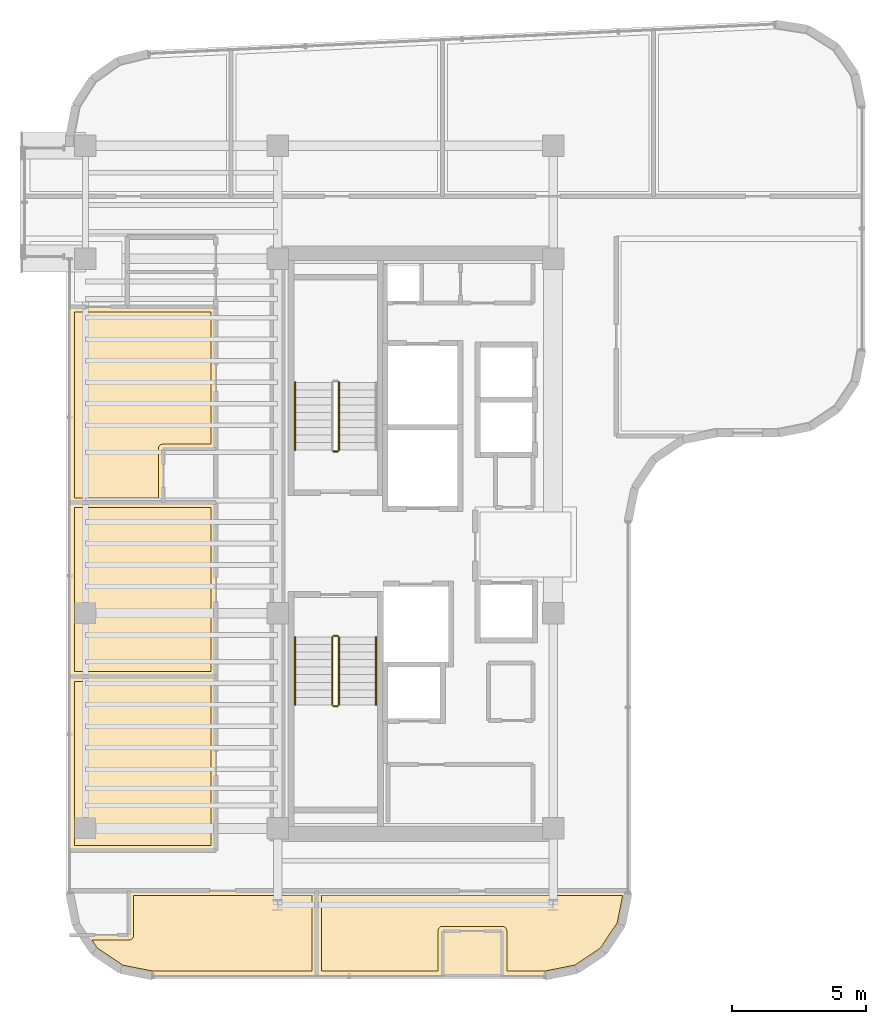
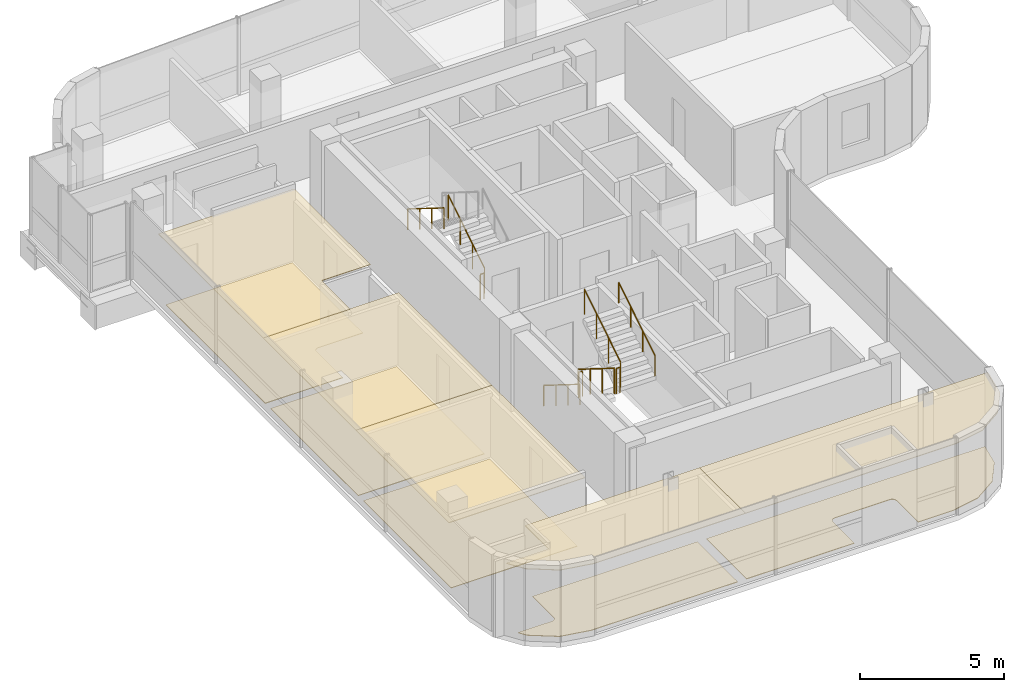
# One storey, part 19 of 21: 10 coverings, 9 railings.
"""IFC4 building model written with IfcOpenShell, lengths in metres."""

from ifc_helpers import new_model, si_unit, direction, frame, origin, origin_2d, place, context, subcontext, project, spatial, polyline, circle, outline, extrude, material, layer, layer_set, type_object, element, save


model = new_model("IFC4")

# Units and contexts
model_context = context("Model", 3, precision=1e-05, world=origin(), true_north=direction((0.0, 1.0)))
body_context = subcontext(model_context, "Body", "Model", "MODEL_VIEW")
ifc_project = project(units=[si_unit("LENGTHUNIT", "METRE"), si_unit("AREAUNIT", "SQUARE_METRE"), si_unit("VOLUMEUNIT", "CUBIC_METRE"), si_unit("PLANEANGLEUNIT", "RADIAN"), si_unit("MASSUNIT", "GRAM", prefix="KILO")], contexts=[model_context])

# Site, building, storey
site_placement = place(None, origin())
site = spatial("IfcSite", under=ifc_project, at=site_placement, CompositionType="ELEMENT")
building_placement = place(site_placement, origin())
building = spatial("IfcBuilding", under=site, at=building_placement, Name="Valdorenza Pilgrim Sanctuary Tower", CompositionType="ELEMENT")
storey_placement = place(building_placement, frame((0.0, 0.0, 254.5)))
storey = spatial("IfcBuildingStorey", under=building, at=storey_placement, Name="L66", CompositionType="ELEMENT", Elevation=254.5)

# Coverings
ifc_material_1 = material(Name="Micro-perforated acoustic mineral ceiling tile", Category="gypsum")
ifc_layer_1 = layer(ifc_material_1, 0.02490234375, Name="Micro-perforated acoustic mineral ceiling tile")
ifc_layer_set_1 = layer_set([ifc_layer_1], Name="Micro-perforated acoustic mineral ceiling tile")
covering_type_1 = type_object("IfcCoveringType", Name="COV-CLG-ACU", PredefinedType="CEILING", material=ifc_layer_set_1)
covering_1_placement = place(storey_placement, frame((0.0, 0.0, 2.9599609375)))
element("IfcCovering", 1, at=covering_1_placement, inside=storey, type_object=covering_type_1, Name="L66 Pilgrim Scholar Office L66-H1 Acoustic Ceiling", PredefinedType="CEILING", context=body_context, shape_type="SweptSolid", body=[
    extrude(outline(polyline([(-24.93505859375, -11.419921875), (-24.93505859375, -11.42138671875), (-24.935302734375, -11.4228515625), (-24.935546875, -11.42431640625), (-24.93603515625, -11.42578125), (-24.936767578125, -11.427001953125), (-24.9375, -11.42822265625), (-24.9384765625, -11.429443359375), (-24.939453125, -11.4306640625), (-24.9404296875, -11.431640625), (-24.941650390625, -11.4326171875), (-24.94287109375, -11.43310546875), (-24.9443359375, -11.433837890625), (-24.945556640625, -11.434326171875), (-24.947021484375, -11.434814453125), (-24.948486328125, -11.434814453125), (-24.949951171875, -11.43505859375), (-30.389892578125, -11.43505859375), (-30.3916015625, -11.434814453125), (-30.392822265625, -11.434814453125), (-30.394287109375, -11.434326171875), (-30.395751953125, -11.433837890625), (-30.397216796875, -11.43310546875), (-30.398193359375, -11.4326171875), (-30.3994140625, -11.431640625), (-30.400634765625, -11.4306640625), (-30.401611328125, -11.429443359375), (-30.402587890625, -11.42822265625), (-30.4033203125, -11.427001953125), (-30.40380859375, -11.42578125), (-30.404296875, -11.42431640625), (-30.40478515625, -11.4228515625), (-30.40478515625, -11.42138671875), (-30.405029296875, -11.419921875), (-30.405029296875, -4.949462890625), (-30.40478515625, -4.947998046875), (-30.40478515625, -4.946533203125), (-30.404296875, -4.945068359375), (-30.40380859375, -4.94384765625), (-30.4033203125, -4.9423828125), (-30.402587890625, -4.941162109375), (-30.401611328125, -4.93994140625), (-30.400634765625, -4.93896484375), (-30.3994140625, -4.93798828125), (-30.398193359375, -4.93701171875), (-30.397216796875, -4.936279296875), (-30.395751953125, -4.935546875), (-30.394287109375, -4.93505859375), (-30.392822265625, -4.934814453125), (-30.3916015625, -4.9345703125), (-30.389892578125, -4.9345703125), (-24.949951171875, -4.9345703125), (-24.948486328125, -4.9345703125), (-24.947021484375, -4.934814453125), (-24.945556640625, -4.93505859375), (-24.9443359375, -4.935546875), (-24.94287109375, -4.936279296875), (-24.941650390625, -4.93701171875), (-24.9404296875, -4.93798828125), (-24.939453125, -4.93896484375), (-24.9384765625, -4.93994140625), (-24.9375, -4.941162109375), (-24.936767578125, -4.9423828125), (-24.93603515625, -4.94384765625), (-24.935546875, -4.945068359375), (-24.935302734375, -4.946533203125), (-24.93505859375, -4.947998046875), (-24.93505859375, -4.949462890625), (-24.93505859375, -11.419921875)])), origin(), (0.0, 0.0, 1.0), 0.025146484375),
])
covering_2_placement = place(storey_placement, frame((0.0, 0.0, 2.9599609375)))
element("IfcCovering", 2, at=covering_2_placement, inside=storey, type_object=covering_type_1, Name="L66 Pilgrim Scholar Office L66-H2 Acoustic Ceiling", PredefinedType="CEILING", context=body_context, shape_type="SweptSolid", body=[
    extrude(outline(polyline([(-24.93505859375, -4.947509765625), (-24.93505859375, -4.948974609375), (-24.935302734375, -4.950439453125), (-24.935546875, -4.951904296875), (-24.93603515625, -4.953125), (-24.936767578125, -4.95458984375), (-24.9375, -4.955810546875), (-24.9384765625, -4.95703125), (-24.939453125, -4.9580078125), (-24.9404296875, -4.958984375), (-24.941650390625, -4.9599609375), (-24.94287109375, -4.960693359375), (-24.9443359375, -4.96142578125), (-24.945556640625, -4.9619140625), (-24.947021484375, -4.962158203125), (-24.948486328125, -4.96240234375), (-24.949951171875, -4.96240234375), (-30.389892578125, -4.96240234375), (-30.3916015625, -4.96240234375), (-30.392822265625, -4.962158203125), (-30.394287109375, -4.9619140625), (-30.395751953125, -4.96142578125), (-30.397216796875, -4.960693359375), (-30.398193359375, -4.9599609375), (-30.3994140625, -4.958984375), (-30.400634765625, -4.9580078125), (-30.401611328125, -4.95703125), (-30.402587890625, -4.955810546875), (-30.4033203125, -4.95458984375), (-30.40380859375, -4.953125), (-30.404296875, -4.951904296875), (-30.40478515625, -4.950439453125), (-30.40478515625, -4.948974609375), (-30.405029296875, -4.947509765625), (-30.405029296875, 1.52099609375), (-30.40478515625, 1.5224609375), (-30.40478515625, 1.52392578125), (-30.404296875, 1.525390625), (-30.40380859375, 1.526611328125), (-30.4033203125, 1.528076171875), (-30.402587890625, 1.529296875), (-30.401611328125, 1.530517578125), (-30.400634765625, 1.531494140625), (-30.3994140625, 1.53271484375), (-30.398193359375, 1.533447265625), (-30.397216796875, 1.5341796875), (-30.395751953125, 1.534912109375), (-30.394287109375, 1.535400390625), (-30.392822265625, 1.53564453125), (-30.3916015625, 1.535888671875), (-30.389892578125, 1.535888671875), (-24.949951171875, 1.535888671875), (-24.948486328125, 1.535888671875), (-24.947021484375, 1.53564453125), (-24.945556640625, 1.535400390625), (-24.9443359375, 1.534912109375), (-24.94287109375, 1.5341796875), (-24.941650390625, 1.533447265625), (-24.9404296875, 1.53271484375), (-24.939453125, 1.531494140625), (-24.9384765625, 1.530517578125), (-24.9375, 1.529296875), (-24.936767578125, 1.528076171875), (-24.93603515625, 1.526611328125), (-24.935546875, 1.525390625), (-24.935302734375, 1.52392578125), (-24.93505859375, 1.5224609375), (-24.93505859375, 1.52099609375), (-24.93505859375, -4.947509765625)])), origin(), (0.0, 0.0, 1.0), 0.025146484375),
])
covering_3_placement = place(storey_placement, frame((0.0, 0.0, 2.9599609375)))
element("IfcCovering", 3, at=covering_3_placement, inside=storey, type_object=covering_type_1, Name="L66 Sanctuary Guest Room L66-HW1 Acoustic Ceiling", PredefinedType="CEILING", context=body_context, shape_type="SweptSolid", body=[
    extrude(outline(polyline([(-28.253662109375, 8.81298828125), (-28.253173828125, 8.81298828125), (-28.25146484375, 8.813232421875), (-28.25, 8.813232421875), (-28.24853515625, 8.81298828125), (-28.248291015625, 8.81298828125), (-24.949951171875, 8.81298828125), (-24.948486328125, 8.81298828125), (-24.947021484375, 8.812744140625), (-24.945556640625, 8.8125), (-24.9443359375, 8.81201171875), (-24.94287109375, 8.811279296875), (-24.941650390625, 8.810546875), (-24.9404296875, 8.8095703125), (-24.939453125, 8.80859375), (-24.9384765625, 8.8076171875), (-24.9375, 8.806396484375), (-24.936767578125, 8.80517578125), (-24.93603515625, 8.8037109375), (-24.935546875, 8.802490234375), (-24.935302734375, 8.80078125), (-24.93505859375, 8.799560546875), (-24.93505859375, 8.798095703125), (-24.93505859375, 3.52294921875), (-24.93505859375, 3.521484375), (-24.935302734375, 3.52001953125), (-24.935546875, 3.5185546875), (-24.93603515625, 3.517333984375), (-24.936767578125, 3.515869140625), (-24.9375, 3.5146484375), (-24.9384765625, 3.513427734375), (-24.939453125, 3.512451171875), (-24.9404296875, 3.511474609375), (-24.941650390625, 3.510498046875), (-24.94287109375, 3.509765625), (-24.9443359375, 3.509033203125), (-24.945556640625, 3.508544921875), (-24.947021484375, 3.50830078125), (-24.948486328125, 3.508056640625), (-24.949951171875, 3.508056640625), (-26.89501953125, 3.508056640625), (-26.89501953125, 1.52294921875), (-26.89501953125, 1.521484375), (-26.895263671875, 1.52001953125), (-26.8955078125, 1.5185546875), (-26.89599609375, 1.517333984375), (-26.896728515625, 1.515869140625), (-26.8974609375, 1.5146484375), (-26.8984375, 1.513427734375), (-26.8994140625, 1.512451171875), (-26.900390625, 1.511474609375), (-26.901611328125, 1.510498046875), (-26.90283203125, 1.509765625), (-26.904296875, 1.509033203125), (-26.905517578125, 1.508544921875), (-26.906982421875, 1.50830078125), (-26.908447265625, 1.508056640625), (-26.909912109375, 1.508056640625), (-30.389892578125, 1.508056640625), (-30.3916015625, 1.508056640625), (-30.392822265625, 1.50830078125), (-30.394287109375, 1.508544921875), (-30.395751953125, 1.509033203125), (-30.397216796875, 1.509765625), (-30.398193359375, 1.510498046875), (-30.3994140625, 1.511474609375), (-30.400634765625, 1.512451171875), (-30.401611328125, 1.513427734375), (-30.402587890625, 1.5146484375), (-30.4033203125, 1.515869140625), (-30.40380859375, 1.517333984375), (-30.404296875, 1.5185546875), (-30.40478515625, 1.52001953125), (-30.40478515625, 1.521484375), (-30.405029296875, 1.52294921875), (-30.405029296875, 8.798095703125), (-30.40478515625, 8.799560546875), (-30.40478515625, 8.80078125), (-30.404296875, 8.802490234375), (-30.40380859375, 8.8037109375), (-30.4033203125, 8.80517578125), (-30.402587890625, 8.806396484375), (-30.401611328125, 8.8076171875), (-30.400634765625, 8.80859375), (-30.3994140625, 8.8095703125), (-30.398193359375, 8.810546875), (-30.397216796875, 8.811279296875), (-30.395751953125, 8.81201171875), (-30.394287109375, 8.8125), (-30.392822265625, 8.812744140625), (-30.3916015625, 8.81298828125), (-30.389892578125, 8.81298828125), (-28.253662109375, 8.81298828125)])), origin(), (0.0, 0.0, 1.0), 0.025146484375),
])
covering_4_placement = place(storey_placement, frame((0.0, 0.0, 2.9599609375)))
element("IfcCovering", 4, at=covering_4_placement, inside=storey, type_object=covering_type_1, Name="L66 South Guest Room L66-S1 Acoustic Ceiling", PredefinedType="CEILING", context=body_context, shape_type="SweptSolid", body=[
    extrude(outline(polyline([(-28.202880859375, -14.556884765625), (-28.202880859375, -12.919921875), (-28.202880859375, -12.91845703125), (-28.20263671875, -12.9169921875), (-28.202392578125, -12.91552734375), (-28.201904296875, -12.914306640625), (-28.201171875, -12.912841796875), (-28.200439453125, -12.91162109375), (-28.19970703125, -12.910400390625), (-28.198486328125, -12.909423828125), (-28.197509765625, -12.908447265625), (-28.1962890625, -12.907470703125), (-28.195068359375, -12.90673828125), (-28.193603515625, -12.906005859375), (-28.1923828125, -12.905517578125), (-28.19091796875, -12.9052734375), (-28.189453125, -12.905029296875), (-28.18798828125, -12.905029296875), (-21.199951171875, -12.905029296875), (-21.198486328125, -12.905029296875), (-21.197021484375, -12.9052734375), (-21.195556640625, -12.905517578125), (-21.1943359375, -12.906005859375), (-21.19287109375, -12.90673828125), (-21.191650390625, -12.907470703125), (-21.1904296875, -12.908447265625), (-21.189453125, -12.909423828125), (-21.1884765625, -12.910400390625), (-21.1875, -12.91162109375), (-21.186767578125, -12.912841796875), (-21.18603515625, -12.914306640625), (-21.185546875, -12.91552734375), (-21.185302734375, -12.9169921875), (-21.18505859375, -12.91845703125), (-21.18505859375, -12.919921875), (-21.18505859375, -16.090087890625), (-21.18505859375, -16.091552734375), (-21.185302734375, -16.093017578125), (-21.185546875, -16.094482421875), (-21.18603515625, -16.095703125), (-21.186767578125, -16.09716796875), (-21.1875, -16.098388671875), (-21.1884765625, -16.099609375), (-21.189453125, -16.1005859375), (-21.1904296875, -16.1015625), (-21.191650390625, -16.1025390625), (-21.19287109375, -16.103271484375), (-21.1943359375, -16.10400390625), (-21.195556640625, -16.1044921875), (-21.197021484375, -16.104736328125), (-21.198486328125, -16.10498046875), (-21.199951171875, -16.10498046875), (-27.289306640625, -16.10498046875), (-27.29052734375, -16.10498046875), (-27.2919921875, -16.104736328125), (-28.484619140625, -15.867431640625), (-28.486083984375, -15.8671875), (-28.4873046875, -15.86669921875), (-28.48876953125, -15.865966796875), (-28.489990234375, -15.865234375), (-29.49169921875, -15.19580078125), (-29.492919921875, -15.195068359375), (-29.493896484375, -15.194091796875), (-29.4951171875, -15.19287109375), (-29.495849609375, -15.191650390625), (-29.904296875, -14.580322265625), (-29.9052734375, -14.5791015625), (-29.90576171875, -14.57763671875), (-29.90625, -14.576416015625), (-29.90673828125, -14.574951171875), (-29.906982421875, -14.573486328125), (-29.906982421875, -14.572021484375), (-29.906982421875, -14.570556640625), (-29.90673828125, -14.569091796875), (-29.90625, -14.567626953125), (-29.90576171875, -14.56640625), (-29.9052734375, -14.56494140625), (-29.904296875, -14.563720703125), (-29.903564453125, -14.5625), (-29.902587890625, -14.561279296875), (-29.901611328125, -14.560302734375), (-29.900390625, -14.5595703125), (-29.89892578125, -14.558837890625), (-29.897705078125, -14.55810546875), (-29.896240234375, -14.5576171875), (-29.89501953125, -14.557373046875), (-29.893310546875, -14.55712890625), (-29.89208984375, -14.556884765625), (-28.202880859375, -14.556884765625)])), origin(), (0.0, 0.0, 1.0), 0.025146484375),
])
covering_5_placement = place(storey_placement, frame((0.0, 0.0, 2.9599609375)))
element("IfcCovering", 5, at=covering_5_placement, inside=storey, type_object=covering_type_1, Name="L66 South Guest Room L66-S2 Acoustic Ceiling", PredefinedType="CEILING", context=body_context, shape_type="SweptSolid", body=[
    extrude(outline(polyline([(-9.610107421875, -12.905029296875), (-9.6083984375, -12.905029296875), (-9.607177734375, -12.9052734375), (-9.605712890625, -12.905517578125), (-9.604248046875, -12.906005859375), (-9.602783203125, -12.90673828125), (-9.601806640625, -12.907470703125), (-9.6005859375, -12.908447265625), (-9.599365234375, -12.909423828125), (-9.598388671875, -12.910400390625), (-9.597412109375, -12.91162109375), (-9.5966796875, -12.912841796875), (-9.59619140625, -12.914306640625), (-9.595703125, -12.91552734375), (-9.59521484375, -12.9169921875), (-9.59521484375, -12.91845703125), (-9.594970703125, -12.919921875), (-9.594970703125, -12.9892578125), (-9.59521484375, -12.990478515625), (-9.59521484375, -12.9921875), (-9.83251953125, -14.1845703125), (-9.8330078125, -14.18603515625), (-9.83349609375, -14.1875), (-9.833984375, -14.188720703125), (-9.834716796875, -14.18994140625), (-10.504150390625, -15.191650390625), (-10.5048828125, -15.19287109375), (-10.506103515625, -15.194091796875), (-10.507080078125, -15.195068359375), (-10.50830078125, -15.19580078125), (-11.510009765625, -15.865234375), (-11.51123046875, -15.865966796875), (-11.5126953125, -15.86669921875), (-11.513916015625, -15.8671875), (-11.515380859375, -15.867431640625), (-12.7080078125, -16.104736328125), (-12.70947265625, -16.10498046875), (-12.710693359375, -16.10498046875), (-21.197998046875, -16.10498046875), (-21.199462890625, -16.10498046875), (-21.200927734375, -16.104736328125), (-21.202392578125, -16.1044921875), (-21.20361328125, -16.10400390625), (-21.205078125, -16.103271484375), (-21.206298828125, -16.1025390625), (-21.20751953125, -16.1015625), (-21.20849609375, -16.1005859375), (-21.209716796875, -16.099609375), (-21.21044921875, -16.098388671875), (-21.211181640625, -16.09716796875), (-21.2119140625, -16.095703125), (-21.21240234375, -16.094482421875), (-21.212646484375, -16.093017578125), (-21.212890625, -16.091552734375), (-21.212890625, -16.090087890625), (-21.212890625, -12.919921875), (-21.212890625, -12.91845703125), (-21.212646484375, -12.9169921875), (-21.21240234375, -12.91552734375), (-21.2119140625, -12.914306640625), (-21.211181640625, -12.912841796875), (-21.21044921875, -12.91162109375), (-21.209716796875, -12.910400390625), (-21.20849609375, -12.909423828125), (-21.20751953125, -12.908447265625), (-21.206298828125, -12.907470703125), (-21.205078125, -12.90673828125), (-21.20361328125, -12.906005859375), (-21.202392578125, -12.905517578125), (-21.200927734375, -12.9052734375), (-21.199462890625, -12.905029296875), (-21.197998046875, -12.905029296875), (-9.610107421875, -12.905029296875)])), origin(), (0.0, 0.0, 1.0), 0.025146484375),
])
ifc_material_2 = material(Name="Engineered European oak timber flooring", Category="wood")
ifc_layer_2 = layer(ifc_material_2, 0.02197265625, Name="Engineered European oak timber flooring")
ifc_layer_set_2 = layer_set([ifc_layer_2], Name="Engineered European oak timber flooring")
covering_type_2 = type_object("IfcCoveringType", Name="COV-FLR-OAK", PredefinedType="FLOORING", material=ifc_layer_set_2)
covering_6_placement = place(storey_placement, origin())
element("IfcCovering", 6, at=covering_6_placement, inside=storey, type_object=covering_type_2, Name="L66 Sanctuary Guest Room L66-HW1 Flooring", PredefinedType="FLOORING", context=body_context, shape_type="SweptSolid", body=[
    extrude(outline(polyline([(-28.250244140625, 8.617919921875), (-28.25, 8.617919921875), (-25.1298828125, 8.617919921875), (-25.1298828125, 3.702880859375), (-26.907958984375, 3.702880859375), (-26.916748046875, 3.702880859375), (-26.9169921875, 3.702880859375), (-26.9345703125, 3.700927734375), (-26.934814453125, 3.700927734375), (-26.9521484375, 3.697509765625), (-26.952392578125, 3.697509765625), (-26.96923828125, 3.6923828125), (-26.969482421875, 3.6923828125), (-26.985595703125, 3.685546875), (-26.98583984375, 3.685546875), (-27.00146484375, 3.67724609375), (-27.001708984375, 3.677001953125), (-27.016357421875, 3.667236328125), (-27.0166015625, 3.6669921875), (-27.030029296875, 3.656005859375), (-27.0302734375, 3.65576171875), (-27.042724609375, 3.643310546875), (-27.04296875, 3.64306640625), (-27.05419921875, 3.62939453125), (-27.05419921875, 3.62939453125), (-27.064208984375, 3.614501953125), (-27.064208984375, 3.614501953125), (-27.072509765625, 3.598876953125), (-27.072509765625, 3.5986328125), (-27.079345703125, 3.58251953125), (-27.079345703125, 3.582275390625), (-27.08447265625, 3.565185546875), (-27.084716796875, 3.565185546875), (-27.087890625, 3.5478515625), (-27.087890625, 3.547607421875), (-27.08984375, 3.530029296875), (-27.08984375, 3.52978515625), (-27.090087890625, 3.52099609375), (-27.090087890625, 1.702880859375), (-30.2099609375, 1.702880859375), (-30.2099609375, 8.617919921875), (-28.251953125, 8.617919921875), (-28.2509765625, 8.617919921875), (-28.250244140625, 8.617919921875)])), origin(), (0.0, 0.0, 1.0), 0.02490234375),
])
covering_7_placement = place(storey_placement, origin())
element("IfcCovering", 7, at=covering_7_placement, inside=storey, type_object=covering_type_2, Name="L66 South Guest Room L66-S1 Flooring", PredefinedType="FLOORING", context=body_context, shape_type="SweptSolid", body=[
    extrude(outline(polyline([(-27.271484375, -15.909912109375), (-28.411376953125, -15.68310546875), (-29.353515625, -15.0537109375), (-29.55517578125, -14.751953125), (-28.18994140625, -14.751953125), (-28.18115234375, -14.751708984375), (-28.180908203125, -14.751708984375), (-28.163330078125, -14.75), (-28.1630859375, -14.75), (-28.14599609375, -14.74658203125), (-28.145751953125, -14.74658203125), (-28.12890625, -14.741455078125), (-28.128662109375, -14.7412109375), (-28.1123046875, -14.734619140625), (-28.112060546875, -14.734619140625), (-28.096435546875, -14.726318359375), (-28.096435546875, -14.72607421875), (-28.081787109375, -14.71630859375), (-28.08154296875, -14.716064453125), (-28.06787109375, -14.704833984375), (-28.067626953125, -14.704833984375), (-28.05517578125, -14.6923828125), (-28.05517578125, -14.692138671875), (-28.0439453125, -14.678466796875), (-28.043701171875, -14.67822265625), (-28.033935546875, -14.66357421875), (-28.03369140625, -14.66357421875), (-28.025390625, -14.64794921875), (-28.025390625, -14.647705078125), (-28.018798828125, -14.63134765625), (-28.0185546875, -14.631103515625), (-28.013427734375, -14.6142578125), (-28.013427734375, -14.614013671875), (-28.010009765625, -14.5966796875), (-28.010009765625, -14.5966796875), (-28.00830078125, -14.5791015625), (-28.00830078125, -14.578857421875), (-28.008056640625, -14.570068359375), (-28.008056640625, -13.10009765625), (-21.3798828125, -13.10009765625), (-21.3798828125, -15.909912109375), (-27.271484375, -15.909912109375)])), origin(), (0.0, 0.0, 1.0), 0.02490234375),
])
covering_8_placement = place(storey_placement, origin())
element("IfcCovering", 8, at=covering_8_placement, inside=storey, type_object=covering_type_2, Name="L66 South Guest Room L66-S2 Flooring", PredefinedType="FLOORING", context=body_context, shape_type="SweptSolid", body=[
    extrude(outline(polyline([(-16.68701171875, -15.909912109375), (-21.01806640625, -15.909912109375), (-21.01806640625, -13.10009765625), (-9.815673828125, -13.10009765625), (-10.016845703125, -14.111328125), (-10.646484375, -15.0537109375), (-11.588623046875, -15.68310546875), (-12.728515625, -15.909912109375), (-14.123046875, -15.909912109375), (-14.123046875, -14.419921875), (-14.123291015625, -14.4111328125), (-14.123291015625, -14.410888671875), (-14.125, -14.393310546875), (-14.125, -14.393310546875), (-14.12841796875, -14.3759765625), (-14.12841796875, -14.375732421875), (-14.133544921875, -14.35888671875), (-14.1337890625, -14.358642578125), (-14.140380859375, -14.34228515625), (-14.140380859375, -14.342041015625), (-14.148681640625, -14.326416015625), (-14.14892578125, -14.326416015625), (-14.15869140625, -14.311767578125), (-14.158935546875, -14.3115234375), (-14.170166015625, -14.2978515625), (-14.170166015625, -14.297607421875), (-14.1826171875, -14.28515625), (-14.182861328125, -14.28515625), (-14.196533203125, -14.27392578125), (-14.19677734375, -14.273681640625), (-14.21142578125, -14.263916015625), (-14.21142578125, -14.263916015625), (-14.22705078125, -14.255615234375), (-14.227294921875, -14.25537109375), (-14.24365234375, -14.248779296875), (-14.243896484375, -14.24853515625), (-14.2607421875, -14.243408203125), (-14.260986328125, -14.243408203125), (-14.2783203125, -14.239990234375), (-14.2783203125, -14.239990234375), (-14.2958984375, -14.23828125), (-14.296142578125, -14.23828125), (-14.304931640625, -14.238037109375), (-16.5048828125, -14.238037109375), (-16.513916015625, -14.23828125), (-16.513916015625, -14.23828125), (-16.531494140625, -14.239990234375), (-16.53173828125, -14.239990234375), (-16.549072265625, -14.243408203125), (-16.54931640625, -14.243408203125), (-16.566162109375, -14.24853515625), (-16.56640625, -14.248779296875), (-16.582763671875, -14.25537109375), (-16.5830078125, -14.255615234375), (-16.598388671875, -14.263916015625), (-16.5986328125, -14.263916015625), (-16.61328125, -14.273681640625), (-16.613525390625, -14.27392578125), (-16.627197265625, -14.28515625), (-16.627197265625, -14.28515625), (-16.639892578125, -14.297607421875), (-16.639892578125, -14.2978515625), (-16.651123046875, -14.3115234375), (-16.651123046875, -14.311767578125), (-16.6611328125, -14.326416015625), (-16.6611328125, -14.326416015625), (-16.66943359375, -14.342041015625), (-16.669677734375, -14.34228515625), (-16.67626953125, -14.358642578125), (-16.676513671875, -14.35888671875), (-16.681396484375, -14.375732421875), (-16.681640625, -14.3759765625), (-16.68505859375, -14.393310546875), (-16.68505859375, -14.393310546875), (-16.686767578125, -14.410888671875), (-16.686767578125, -14.4111328125), (-16.68701171875, -14.419921875), (-16.68701171875, -15.909912109375)])), origin(), (0.0, 0.0, 1.0), 0.02490234375),
])
ifc_material_3 = material(Name="Honed travertine stone flooring", Category="masonry")
ifc_layer_3 = layer(ifc_material_3, 0.030029296875, Name="Honed travertine stone flooring")
ifc_layer_set_3 = layer_set([ifc_layer_3], Name="Honed travertine stone flooring")
covering_type_3 = type_object("IfcCoveringType", Name="COV-FLR-TRV", PredefinedType="FLOORING", material=ifc_layer_set_3)
covering_9_placement = place(storey_placement, origin())
element("IfcCovering", 9, at=covering_9_placement, inside=storey, type_object=covering_type_3, Name="L66 Pilgrim Scholar Office L66-H1 Flooring", PredefinedType="FLOORING", context=body_context, shape_type="SweptSolid", body=[
    extrude(outline(polyline([(-25.1298828125, -11.239990234375), (-30.2099609375, -11.239990234375), (-30.2099609375, -5.12939453125), (-25.1298828125, -5.12939453125), (-25.1298828125, -11.239990234375)])), origin(), (0.0, 0.0, 1.0), 0.02490234375),
])
covering_10_placement = place(storey_placement, origin())
element("IfcCovering", 10, at=covering_10_placement, inside=storey, type_object=covering_type_3, Name="L66 Pilgrim Scholar Office L66-H2 Flooring", PredefinedType="FLOORING", context=body_context, shape_type="SweptSolid", body=[
    extrude(outline(polyline([(-25.1298828125, -4.767578125), (-30.2099609375, -4.767578125), (-30.2099609375, 1.341064453125), (-25.1298828125, 1.341064453125), (-25.1298828125, -4.767578125)])), origin(), (0.0, 0.0, 1.0), 0.02490234375),
])

# Railings
ifc_material_4 = material(Name="Stainless steel Grade 316", Category="steel")
railing_type_1 = type_object("IfcRailingType", Name="RLG-GRD-1120", PredefinedType="GUARDRAIL", material=ifc_material_4)
railing_1_placement = place(storey_placement, frame((-20.3701171875, 3.47998046875, 0.175048828125)))
element("IfcRailing", 11, at=railing_1_placement, inside=storey, type_object=railing_type_1, Name="L66 ST-A1 stair guard 1", PredefinedType="GUARDRAIL", context=body_context, shape_type="SweptSolid", body=[
    extrude(circle(Radius=0.02392578125, at=origin_2d()), frame((0.0, 0.0, 1.076171875), z_axis=(0.0, 0.848007534815, 0.529984170421), x_axis=(-1.0, 0.0, 0.0)), (0.0, 0.0, 1.0), 2.9716796875),
    extrude(circle(Radius=0.02099609375, at=origin_2d()), origin(), (0.0, 0.0, 1.0), 1.052001953125),
    extrude(circle(Radius=0.02099609375, at=origin_2d()), frame((0.0, 0.840087890625, 0.52490234375)), (0.0, 0.0, 1.0), 1.052001953125),
    extrude(circle(Radius=0.02099609375, at=origin_2d()), frame((0.0, 1.679931640625, 1.050048828125)), (0.0, 0.0, 1.0), 1.052001953125),
    extrude(circle(Radius=0.02099609375, at=origin_2d()), frame((0.0, 2.52001953125, 1.574951171875)), (0.0, 0.0, 1.0), 1.052001953125),
])
railing_2_placement = place(storey_placement, frame((-20.419921875, 3.429931640625, 0.0)))
element("IfcRailing", 12, at=railing_2_placement, inside=storey, type_object=railing_type_1, Name="L66 ST-A1 stair guard 4", PredefinedType="GUARDRAIL", context=body_context, shape_type="SweptSolid", body=[
    extrude(circle(Radius=0.02392578125, at=origin_2d()), frame((0.0, 0.0, 1.076171875), z_axis=(-1.0, 0.0, 0.0), x_axis=(0.0, -1.0, 0.0)), (0.0, 0.0, 1.0), 0.150146484375),
    extrude(circle(Radius=0.02099609375, at=origin_2d()), origin(), (0.0, 0.0, 1.0), 1.052001953125),
    extrude(circle(Radius=0.02099609375, at=origin_2d()), frame((-0.150146484375, 0.0, 0.0)), (0.0, 0.0, 1.0), 1.052001953125),
])
railing_3_placement = place(storey_placement, frame((-20.6201171875, -3.47998046875, 0.175048828125)))
element("IfcRailing", 13, at=railing_3_placement, inside=storey, type_object=railing_type_1, Name="L66 ST-A2 stair guard 1", PredefinedType="GUARDRAIL", context=body_context, shape_type="SweptSolid", body=[
    extrude(circle(Radius=0.02392578125, at=origin_2d()), frame((0.0, 0.0, 1.076171875), z_axis=(0.0, -0.848007534815, 0.529984170421), x_axis=(1.0, 0.0, 0.0)), (0.0, 0.0, 1.0), 2.9716796875),
    extrude(circle(Radius=0.02099609375, at=origin_2d()), origin(), (0.0, 0.0, 1.0), 1.052001953125),
    extrude(circle(Radius=0.02099609375, at=origin_2d()), frame((0.0, -0.840087890625, 0.52490234375)), (0.0, 0.0, 1.0), 1.052001953125),
    extrude(circle(Radius=0.02099609375, at=origin_2d()), frame((0.0, -1.679931640625, 1.050048828125)), (0.0, 0.0, 1.0), 1.052001953125),
    extrude(circle(Radius=0.02099609375, at=origin_2d()), frame((0.0, -2.52001953125, 1.574951171875)), (0.0, 0.0, 1.0), 1.052001953125),
])
railing_4_placement = place(storey_placement, frame((-20.570068359375, -6.050048828125, 1.75)))
element("IfcRailing", 14, at=railing_4_placement, inside=storey, type_object=railing_type_1, Name="L66 ST-A2 stair guard 2", PredefinedType="GUARDRAIL", context=body_context, shape_type="SweptSolid", body=[
    extrude(circle(Radius=0.02392578125, at=origin_2d()), frame((0.0, 0.0, 1.076171875), z_axis=(1.0, 0.0, 0.0), x_axis=(0.0, 1.0, 0.0)), (0.0, 0.0, 1.0), 0.150146484375),
    extrude(circle(Radius=0.02099609375, at=origin_2d()), origin(), (0.0, 0.0, 1.0), 1.052001953125),
    extrude(circle(Radius=0.02099609375, at=origin_2d()), frame((0.150146484375, 0.0, 0.0)), (0.0, 0.0, 1.0), 1.052001953125),
])
railing_5_placement = place(storey_placement, frame((-20.3701171875, -6.0, 1.925048828125)))
element("IfcRailing", 15, at=railing_5_placement, inside=storey, type_object=railing_type_1, Name="L66 ST-A2 stair guard 3", PredefinedType="GUARDRAIL", context=body_context, shape_type="SweptSolid", body=[
    extrude(circle(Radius=0.02392578125, at=origin_2d()), frame((0.0, 0.0, 1.076171875), z_axis=(0.0, 0.848007534815, 0.529984170421), x_axis=(-1.0, 0.0, 0.0)), (0.0, 0.0, 1.0), 2.9716796875),
    extrude(circle(Radius=0.02099609375, at=origin_2d()), origin(), (0.0, 0.0, 1.0), 1.052001953125),
    extrude(circle(Radius=0.02099609375, at=origin_2d()), frame((0.0, 0.840087890625, 0.52490234375)), (0.0, 0.0, 1.0), 1.052001953125),
    extrude(circle(Radius=0.02099609375, at=origin_2d()), frame((0.0, 1.679931640625, 1.050048828125)), (0.0, 0.0, 1.0), 1.052001953125),
    extrude(circle(Radius=0.02099609375, at=origin_2d()), frame((0.0, 2.52001953125, 1.574951171875)), (0.0, 0.0, 1.0), 1.052001953125),
])
railing_6_placement = place(storey_placement, frame((-20.570068359375, -3.429931640625, 0.0)))
element("IfcRailing", 16, at=railing_6_placement, inside=storey, type_object=railing_type_1, Name="L66 ST-A2 stair guard 4", PredefinedType="GUARDRAIL", context=body_context, shape_type="SweptSolid", body=[
    extrude(circle(Radius=0.02392578125, at=origin_2d()), frame((0.0, 0.0, 1.076171875), z_axis=(1.0, 0.0, 0.0), x_axis=(0.0, 1.0, 0.0)), (0.0, 0.0, 1.0), 0.150146484375),
    extrude(circle(Radius=0.02099609375, at=origin_2d()), origin(), (0.0, 0.0, 1.0), 1.052001953125),
    extrude(circle(Radius=0.02099609375, at=origin_2d()), frame((0.150146484375, 0.0, 0.0)), (0.0, 0.0, 1.0), 1.052001953125),
])
ifc_material_5 = material(Name="Brushed stainless steel Grade 316", Category="steel")
railing_type_2 = type_object("IfcRailingType", Name="RLG-HND-920", PredefinedType="HANDRAIL", material=ifc_material_5)
for number, where, name in (
    (17, (-22.0, 6.0, 1.925048828125), "L66 ST-A1 stair handrail 2"),
    (18, (-22.0, -3.47998046875, 0.175048828125), "L66 ST-A2 stair handrail 1"),
):
    element("IfcRailing", number, at=place(storey_placement, frame(where)), inside=storey, type_object=railing_type_2, Name=name, PredefinedType="HANDRAIL", context=body_context, shape_type="SweptSolid", body=[
        extrude(circle(Radius=0.02392578125, at=origin_2d()), frame((0.0, 0.0, 0.8759765625), z_axis=(0.0, -0.848007534815, 0.529984170421), x_axis=(1.0, 0.0, 0.0)), (0.0, 0.0, 1.0), 2.9716796875),
        extrude(circle(Radius=0.02099609375, at=origin_2d()), origin(), (0.0, 0.0, 1.0), 0.851806640625),
        extrude(circle(Radius=0.02099609375, at=origin_2d()), frame((0.0, -0.840087890625, 0.52490234375)), (0.0, 0.0, 1.0), 0.851806640625),
        extrude(circle(Radius=0.02099609375, at=origin_2d()), frame((0.0, -1.679931640625, 1.050048828125)), (0.0, 0.0, 1.0), 0.851806640625),
        extrude(circle(Radius=0.02099609375, at=origin_2d()), frame((0.0, -2.52001953125, 1.574951171875)), (0.0, 0.0, 1.0), 0.851806640625),
    ])
railing_7_placement = place(storey_placement, frame((-18.989990234375, -6.0, 1.925048828125)))
element("IfcRailing", 19, at=railing_7_placement, inside=storey, type_object=railing_type_2, Name="L66 ST-A2 stair handrail 2", PredefinedType="HANDRAIL", context=body_context, shape_type="SweptSolid", body=[
    extrude(circle(Radius=0.02392578125, at=origin_2d()), frame((0.0, 0.0, 0.8759765625), z_axis=(0.0, 0.848007534815, 0.529984170421), x_axis=(-1.0, 0.0, 0.0)), (0.0, 0.0, 1.0), 2.9716796875),
    extrude(circle(Radius=0.02099609375, at=origin_2d()), origin(), (0.0, 0.0, 1.0), 0.851806640625),
    extrude(circle(Radius=0.02099609375, at=origin_2d()), frame((0.0, 0.840087890625, 0.52490234375)), (0.0, 0.0, 1.0), 0.851806640625),
    extrude(circle(Radius=0.02099609375, at=origin_2d()), frame((0.0, 1.679931640625, 1.050048828125)), (0.0, 0.0, 1.0), 0.851806640625),
    extrude(circle(Radius=0.02099609375, at=origin_2d()), frame((0.0, 2.52001953125, 1.574951171875)), (0.0, 0.0, 1.0), 0.851806640625),
])

save(model, "model.ifc")
